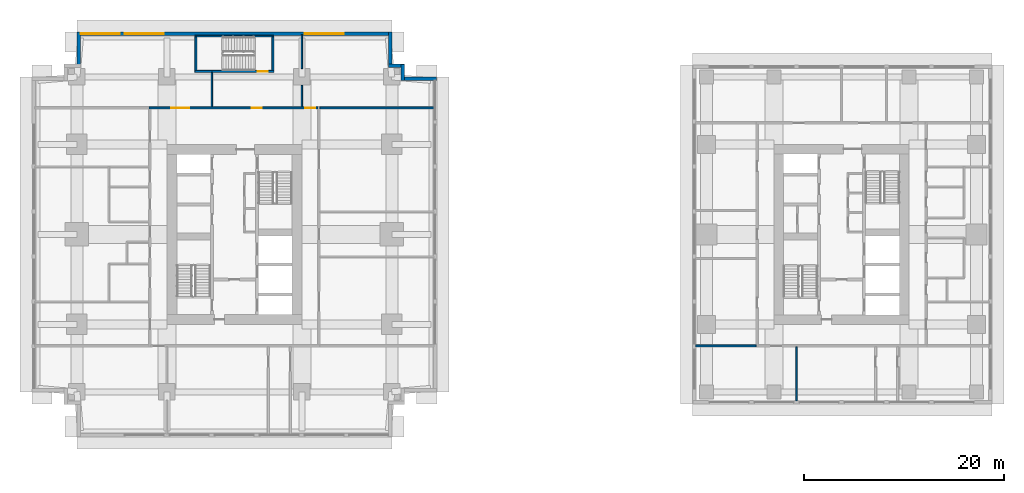
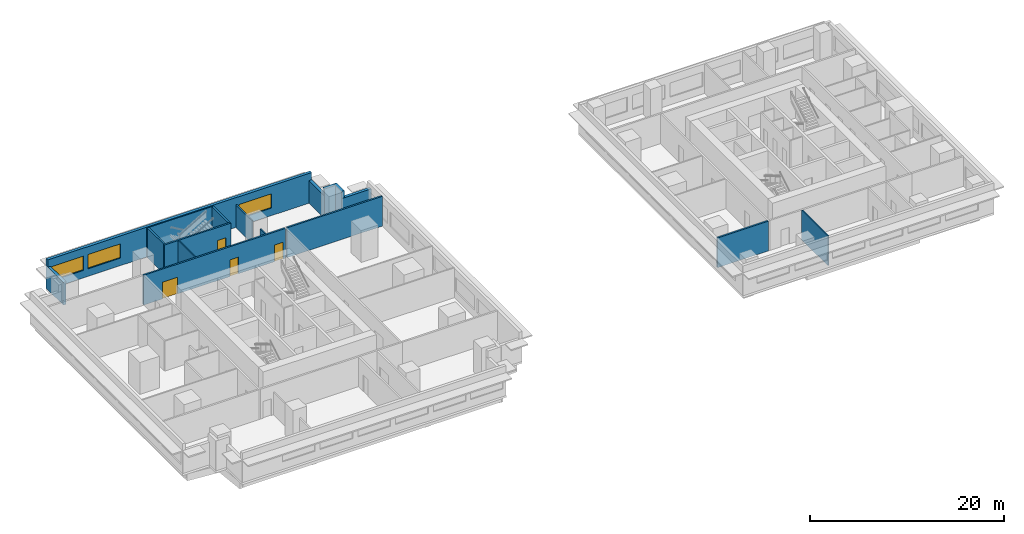
# One storey, part 5 of 11: 17 walls, 4 doors, 3 windows, 7 openings.
"""IFC4 building model written with IfcOpenShell, lengths in metres."""

from ifc_helpers import new_model, si_unit, direction, frame, frame_2d, origin, place, context, subcontext, project, spatial, rectangle, extrude, material, layer, layer_set, type_object, element, fill, save


model = new_model("IFC4")

# Units and contexts
model_context = context("Model", 3, precision=1e-05, world=origin(), true_north=direction((0.0, 1.0)))
body_context = subcontext(model_context, "Body", "Model", "MODEL_VIEW")
ifc_project = project(units=[si_unit("LENGTHUNIT", "METRE"), si_unit("AREAUNIT", "SQUARE_METRE"), si_unit("VOLUMEUNIT", "CUBIC_METRE"), si_unit("PLANEANGLEUNIT", "RADIAN"), si_unit("MASSUNIT", "GRAM", prefix="KILO")], contexts=[model_context])

# Site, building, storey
site_placement = place(None, origin())
site = spatial("IfcSite", under=ifc_project, at=site_placement, CompositionType="ELEMENT")
building_placement = place(site_placement, origin())
building = spatial("IfcBuilding", under=site, at=building_placement, Name="Namib Vertical Campus", CompositionType="ELEMENT")
storey_placement = place(building_placement, frame((0.0, 0.0, 201.0)))
storey = spatial("IfcBuildingStorey", under=building, at=storey_placement, Name="L47", CompositionType="ELEMENT", Elevation=201.0)

# Wall, openings, doors
ifc_material_1 = material(Name="Concrete masonry", Category="masonry")
ifc_layer_1 = layer(ifc_material_1, 0.199951171875)
ifc_layer_set_1 = layer_set([ifc_layer_1], Name="Corridor wall 200")
wall_type_1 = type_object("IfcWallType", Name="Corridor wall 200", PredefinedType="SOLIDWALL", material=ifc_layer_set_1)
wall_1_placement = place(storey_placement, frame((28.60009765625, 32.89990234375, 0.0), z_axis=(0.0, 0.0, 1.0), x_axis=(-1.0, 0.0, 0.0)))
wall_1 = element("IfcWall", 1, at=wall_1_placement, inside=storey, type_object=wall_type_1, Name="Corridor wall A L47 CN", PredefinedType="SOLIDWALL", context=body_context, shape_type="SweptSolid", body=[
    extrude(rectangle(XDim=16.900146484375, YDim=0.199951171875, at=frame_2d((8.4501953125, 0.0))), origin(), (0.0, 0.0, 1.0), 3.75),
])
opening_1_placement = place(wall_1_placement, frame((12.85009765625, 0.0, 0.0)))
opening_1 = element("IfcOpeningElement", 2, at=opening_1_placement, cuts=wall_1, Name="Opening CD2", PredefinedType="OPENING", context=body_context, shape_type="SweptSolid", body=[
    extrude(rectangle(XDim=1.800048828125, YDim=2.10009765625, at=frame_2d((0.89990234375, 1.050048828125))), frame((0.0, 0.10986328125, 0.0), z_axis=(0.0, -1.0, 0.0), x_axis=(1.0, 0.0, 0.0)), (0.0, 0.0, 1.0), 0.219970703125),
])
opening_2_placement = place(wall_1_placement, frame((5.60009765625, 0.0, 0.0)))
opening_2 = element("IfcOpeningElement", 3, at=opening_2_placement, cuts=wall_1, Name="Opening CD1", PredefinedType="OPENING", context=body_context, shape_type="SweptSolid", body=[
    extrude(rectangle(XDim=1.0, YDim=2.10009765625, at=frame_2d((0.5, 1.050048828125))), frame((0.0, 0.10986328125, 0.0), z_axis=(0.0, -1.0, 0.0), x_axis=(1.0, 0.0, 0.0)), (0.0, 0.0, 1.0), 0.219970703125),
])
opening_3_placement = place(wall_1_placement, frame((0.27490234375, 0.0, 0.0)))
opening_3 = element("IfcOpeningElement", 4, at=opening_3_placement, cuts=wall_1, Name="Opening CD1", PredefinedType="OPENING", context=body_context, shape_type="SweptSolid", body=[
    extrude(rectangle(XDim=1.0, YDim=2.10009765625, at=frame_2d((0.5, 1.050048828125))), frame((0.0, 0.10986328125, 0.0), z_axis=(0.0, -1.0, 0.0), x_axis=(1.0, 0.0, 0.0)), (0.0, 0.0, 1.0), 0.219970703125),
])
ifc_material_2 = material(Name="Timber fire door leaf", Category="wood")
door_type_1 = type_object("IfcDoorType", Name="Corridor door 1000x2100 20 min", OperationType="SINGLE_SWING_LEFT", PredefinedType="DOOR", material=ifc_material_2)
door_1_placement = place(opening_2_placement, frame((1.0, 0.0, 0.0), z_axis=(0.0, 0.0, 1.0), x_axis=(-1.0, 0.0, 0.0)))
door_1 = element("IfcDoor", 5, at=door_1_placement, inside=storey, type_object=door_type_1, Name="Door CD1 A47-08", OperationType="SINGLE_SWING_RIGHT", OverallHeight=2.10009765625, OverallWidth=1.0, PredefinedType="DOOR", context=body_context, shape_type="SweptSolid", body=[
    extrude(rectangle(XDim=1.0, YDim=2.10009765625, at=frame_2d((0.5, 1.050048828125))), frame((0.0, 0.02490234375, 0.0), z_axis=(0.0, -1.0, 0.0), x_axis=(1.0, 0.0, 0.0)), (0.0, 0.0, 1.0), 0.050048828125),
])
fill(opening_2, door_1)
door_2_placement = place(opening_3_placement, frame((1.0, 0.0, 0.0), z_axis=(0.0, 0.0, 1.0), x_axis=(-1.0, 0.0, 0.0)))
door_2 = element("IfcDoor", 6, at=door_2_placement, inside=storey, type_object=door_type_1, Name="Door CD1 A47-09", OperationType="SINGLE_SWING_LEFT", OverallHeight=2.10009765625, OverallWidth=1.0, PredefinedType="DOOR", context=body_context, shape_type="SweptSolid", body=[
    extrude(rectangle(XDim=1.0, YDim=2.10009765625, at=frame_2d((0.5, 1.050048828125))), frame((0.0, 0.02490234375, 0.0), z_axis=(0.0, -1.0, 0.0), x_axis=(1.0, 0.0, 0.0)), (0.0, 0.0, 1.0), 0.050048828125),
])
fill(opening_3, door_2)
ifc_material_3 = material(Name="Timber fire door leaf", Category="wood")
door_type_2 = type_object("IfcDoorType", Name="Corridor door double 1800x2100 20 min", OperationType="DOUBLE_DOOR_SINGLE_SWING", PredefinedType="DOOR", material=ifc_material_3)
door_3_placement = place(opening_1_placement, frame((1.800048828125, 0.0, 0.0), z_axis=(0.0, 0.0, 1.0), x_axis=(-1.0, 0.0, 0.0)))
door_3 = element("IfcDoor", 7, at=door_3_placement, inside=storey, type_object=door_type_2, Name="Door CD2 A47-07", OperationType="DOUBLE_DOOR_SINGLE_SWING", OverallHeight=2.10009765625, OverallWidth=1.800048828125, PredefinedType="DOOR", context=body_context, shape_type="SweptSolid", body=[
    extrude(rectangle(XDim=1.800048828125, YDim=2.10009765625, at=frame_2d((0.89990234375, 1.050048828125))), frame((0.0, 0.02490234375, 0.0), z_axis=(0.0, -1.0, 0.0), x_axis=(1.0, 0.0, 0.0)), (0.0, 0.0, 1.0), 0.050048828125),
])
fill(opening_1, door_3)

# Walls
wall_2_placement = place(storey_placement, frame((28.800048828125, 32.89990234375, 0.0), z_axis=(0.0, 0.0, 1.0), x_axis=(1.0, 0.0, 0.0)))
element("IfcWall", 8, at=wall_2_placement, inside=storey, type_object=wall_type_1, Name="Partition A L47 BNE", PredefinedType="SOLIDWALL", context=body_context, shape_type="SweptSolid", body=[
    extrude(rectangle(XDim=11.39990234375, YDim=0.199951171875, at=frame_2d((5.699951171875, 0.0))), origin(), (0.0, 0.0, 1.0), 3.75),
])
wall_3_placement = place(storey_placement, frame((66.39990234375, 9.10009765625, 0.0), z_axis=(0.0, 0.0, 1.0), x_axis=(1.0, 0.0, 0.0)))
element("IfcWall", 9, at=wall_3_placement, inside=storey, type_object=wall_type_1, Name="Partition B L47 BSW", PredefinedType="SOLIDWALL", context=body_context, shape_type="SweptSolid", body=[
    extrude(rectangle(XDim=6.050048828125, YDim=0.199951171875, at=frame_2d((3.02490234375, 0.0))), origin(), (0.0, 0.0, 1.0), 3.75),
])
ifc_material_4 = material(Name="Concrete C40/50", Category="concrete")
ifc_layer_2 = layer(ifc_material_4, 0.35009765625)
ifc_layer_set_2 = layer_set([ifc_layer_2], Name="Concrete C40/50")
wall_type_2 = type_object("IfcWallType", Name="External wall 350 bush-hammered concrete", PredefinedType="STANDARD", material=ifc_layer_set_2)
wall_4_placement = place(storey_placement, frame((40.47998046875, 35.824951171875, 0.0), z_axis=(0.0, 0.0, 1.0), x_axis=(-1.0, 0.0, 0.0)))
element("IfcWall", 10, at=wall_4_placement, inside=storey, type_object=wall_type_2, Name="External wall L47 F07", PredefinedType="STANDARD", context=body_context, shape_type="SweptSolid", body=[
    extrude(rectangle(XDim=3.534912109375, YDim=0.35009765625, at=frame_2d((1.767578125, 0.0))), origin(), (0.0, 0.0, 1.0), 2.85009765625),
])
for number, where, z_axis, x_axis, name in (
    (11, (37.10009765625, 35.669921875, 0.0), (0.0, 0.0, 1.0), (0.0, 1.0, 0.0), "External wall L47 F08"),
    (12, (37.2548828125, 37.10009765625, 0.0), (0.0, 0.0, 1.0), (-1.0, 0.0, 0.0), "External wall L47 F09"),
):
    element("IfcWall", number, at=place(storey_placement, frame(where, z_axis=z_axis, x_axis=x_axis)), inside=storey, type_object=wall_type_2, Name=name, PredefinedType="STANDARD", context=body_context, shape_type="SweptSolid", body=[
        extrude(rectangle(XDim=1.5849609375, YDim=0.35009765625, at=frame_2d((0.79248046875, 0.0))), origin(), (0.0, 0.0, 1.0), 3.75),
    ])
wall_5_placement = place(storey_placement, frame((35.824951171875, 36.945068359375, 0.0), z_axis=(0.0, 0.0, 1.0), x_axis=(0.0, 1.0, 0.0)))
element("IfcWall", 13, at=wall_5_placement, inside=storey, type_object=wall_type_2, Name="External wall L47 F10", PredefinedType="STANDARD", context=body_context, shape_type="SweptSolid", body=[
    extrude(rectangle(XDim=3.534912109375, YDim=0.35009765625, at=frame_2d((1.767578125, 0.0))), origin(), (0.0, 0.0, 1.0), 2.85009765625),
])

# Wall, openings, windows
wall_6_placement = place(storey_placement, frame((35.97998046875, 40.324951171875, 0.0), z_axis=(0.0, 0.0, 1.0), x_axis=(-1.0, 0.0, 0.0)))
wall_6 = element("IfcWall", 14, at=wall_6_placement, inside=storey, type_object=wall_type_2, Name="External wall L47 F11", PredefinedType="STANDARD", context=body_context, shape_type="SweptSolid", body=[
    extrude(rectangle(XDim=31.4599609375, YDim=0.35009765625, at=frame_2d((15.72998046875, 0.0))), origin(), (0.0, 0.0, 1.0), 3.75),
])
opening_4_placement = place(wall_6_placement, frame((27.2099609375, 0.0, 0.949951171875)))
opening_4 = element("IfcOpeningElement", 15, at=opening_4_placement, cuts=wall_6, Name="Opening W3", PredefinedType="OPENING", context=body_context, shape_type="SweptSolid", body=[
    extrude(rectangle(XDim=3.89990234375, YDim=1.800048828125, at=frame_2d((1.949951171875, 0.89990234375))), frame((0.0, 0.18505859375, 0.0), z_axis=(0.0, -1.0, 0.0), x_axis=(1.0, 0.0, 0.0)), (0.0, 0.0, 1.0), 0.3701171875),
])
opening_5_placement = place(wall_6_placement, frame((22.780029296875, 0.0, 0.949951171875)))
opening_5 = element("IfcOpeningElement", 16, at=opening_5_placement, cuts=wall_6, Name="Opening W3", PredefinedType="OPENING", context=body_context, shape_type="SweptSolid", body=[
    extrude(rectangle(XDim=3.89990234375, YDim=1.800048828125, at=frame_2d((1.949951171875, 0.89990234375))), frame((0.0, 0.18505859375, 0.0), z_axis=(0.0, -1.0, 0.0), x_axis=(1.0, 0.0, 0.0)), (0.0, 0.0, 1.0), 0.3701171875),
])
opening_6_placement = place(wall_6_placement, frame((4.780029296875, 0.0, 0.949951171875)))
opening_6 = element("IfcOpeningElement", 17, at=opening_6_placement, cuts=wall_6, Name="Opening W3", PredefinedType="OPENING", context=body_context, shape_type="SweptSolid", body=[
    extrude(rectangle(XDim=3.89990234375, YDim=1.800048828125, at=frame_2d((1.949951171875, 0.89990234375))), frame((0.0, 0.18505859375, 0.0), z_axis=(0.0, -1.0, 0.0), x_axis=(1.0, 0.0, 0.0)), (0.0, 0.0, 1.0), 0.3701171875),
])
ifc_material_5 = material(Name="Dark tinted glass in black aluminium frame", Category="aluminium")
window_type = type_object("IfcWindowType", Name="Ribbon window 3900x1800", PartitioningType="SINGLE_PANEL", PredefinedType="WINDOW", material=ifc_material_5)
window_1_placement = place(opening_4_placement, origin())
window_1 = element("IfcWindow", 18, at=window_1_placement, inside=storey, type_object=window_type, Name="Window W3 L47 F11-1", OverallHeight=1.800048828125, OverallWidth=3.89990234375, PartitioningType="SINGLE_PANEL", PredefinedType="WINDOW", context=body_context, shape_type="SweptSolid", body=[
    extrude(rectangle(XDim=3.89990234375, YDim=1.800048828125, at=frame_2d((1.949951171875, 0.89990234375))), frame((0.0, 0.030029296875, 0.0), z_axis=(0.0, -1.0, 0.0), x_axis=(1.0, 0.0, 0.0)), (0.0, 0.0, 1.0), 0.06005859375),
])
fill(opening_4, window_1)
window_2_placement = place(opening_5_placement, origin())
window_2 = element("IfcWindow", 19, at=window_2_placement, inside=storey, type_object=window_type, Name="Window W3 L47 F11-2", OverallHeight=1.800048828125, OverallWidth=3.89990234375, PartitioningType="SINGLE_PANEL", PredefinedType="WINDOW", context=body_context, shape_type="SweptSolid", body=[
    extrude(rectangle(XDim=3.89990234375, YDim=1.800048828125, at=frame_2d((1.949951171875, 0.89990234375))), frame((0.0, 0.030029296875, 0.0), z_axis=(0.0, -1.0, 0.0), x_axis=(1.0, 0.0, 0.0)), (0.0, 0.0, 1.0), 0.06005859375),
])
fill(opening_5, window_2)
window_3_placement = place(opening_6_placement, origin())
window_3 = element("IfcWindow", 20, at=window_3_placement, inside=storey, type_object=window_type, Name="Window W3 L47 F11-6", OverallHeight=1.800048828125, OverallWidth=3.89990234375, PartitioningType="SINGLE_PANEL", PredefinedType="WINDOW", context=body_context, shape_type="SweptSolid", body=[
    extrude(rectangle(XDim=3.89990234375, YDim=1.800048828125, at=frame_2d((1.949951171875, 0.89990234375))), frame((0.0, 0.030029296875, 0.0), z_axis=(0.0, -1.0, 0.0), x_axis=(1.0, 0.0, 0.0)), (0.0, 0.0, 1.0), 0.06005859375),
])
fill(opening_6, window_3)

# Walls
wall_7_placement = place(storey_placement, frame((4.675048828125, 40.47998046875, 0.0), z_axis=(0.0, 0.0, 1.0), x_axis=(0.0, -1.0, 0.0)))
element("IfcWall", 21, at=wall_7_placement, inside=storey, type_object=wall_type_2, Name="External wall L47 F12", PredefinedType="STANDARD", context=body_context, shape_type="SweptSolid", body=[
    extrude(rectangle(XDim=3.534912109375, YDim=0.35009765625, at=frame_2d((1.767578125, 0.0))), origin(), (0.0, 0.0, 1.0), 2.85009765625),
])
ifc_material_6 = material(Name="Gypsum board on steel studs", Category="steel")
ifc_layer_3 = layer(ifc_material_6, 0.14990234375)
ifc_layer_set_3 = layer_set([ifc_layer_3], Name="Gypsum board on steel studs")
wall_type_3 = type_object("IfcWallType", Name="Partition 150", PredefinedType="PARTITIONING", material=ifc_layer_set_3)
wall_8_placement = place(storey_placement, frame((18.0, 33.0, 0.0), z_axis=(0.0, 0.0, 1.0), x_axis=(0.0, 1.0, 0.0)))
element("IfcWall", 22, at=wall_8_placement, inside=storey, type_object=wall_type_3, Name="Partition A L47 PN1", PredefinedType="PARTITIONING", context=body_context, shape_type="SweptSolid", body=[
    extrude(rectangle(XDim=3.449951171875, YDim=0.14990234375, at=frame_2d((1.72509765625, 0.0))), origin(), (0.0, 0.0, 1.0), 3.75),
])
wall_9_placement = place(storey_placement, frame((27.0, 33.0, 0.0), z_axis=(0.0, 0.0, 1.0), x_axis=(0.0, 1.0, 0.0)))
element("IfcWall", 23, at=wall_9_placement, inside=storey, type_object=wall_type_3, Name="Partition A L47 PN2", PredefinedType="PARTITIONING", context=body_context, shape_type="SweptSolid", body=[
    extrude(rectangle(XDim=2.155029296875, YDim=0.14990234375, at=frame_2d((1.07763671875, 0.0))), origin(), (0.0, 0.0, 1.0), 2.85009765625),
])
wall_10_placement = place(storey_placement, frame((27.0, 36.844970703125, 0.0), z_axis=(0.0, 0.0, 1.0), x_axis=(0.0, 1.0, 0.0)))
element("IfcWall", 24, at=wall_10_placement, inside=storey, type_object=wall_type_3, Name="Partition A L47 PN2", PredefinedType="PARTITIONING", context=body_context, shape_type="SweptSolid", body=[
    extrude(rectangle(XDim=3.35498046875, YDim=0.14990234375, at=frame_2d((1.677490234375, 0.0))), origin(), (0.0, 0.0, 1.0), 2.85009765625),
])
wall_11_placement = place(storey_placement, frame((76.5, 3.60009765625, 0.0), z_axis=(0.0, 0.0, 1.0), x_axis=(0.0, 1.0, 0.0)))
element("IfcWall", 25, at=wall_11_placement, inside=storey, type_object=wall_type_3, Name="Partition B L47 PS1", PredefinedType="PARTITIONING", context=body_context, shape_type="SweptSolid", body=[
    extrude(rectangle(XDim=5.39990234375, YDim=0.14990234375, at=frame_2d((2.699951171875, 0.0))), origin(), (0.0, 0.0, 1.0), 3.75),
])
ifc_material_7 = material(Name="Concrete C40/50", Category="concrete")
ifc_layer_4 = layer(ifc_material_7, 0.14990234375)
ifc_layer_set_4 = layer_set([ifc_layer_4], Name="Concrete C40/50")
wall_type_4 = type_object("IfcWallType", Name="Stair enclosure wall RC 150", PredefinedType="SOLIDWALL", material=ifc_layer_set_4)
wall_12_placement = place(storey_placement, frame((16.300048828125, 40.074951171875, 0.0), z_axis=(0.0, 0.0, 1.0), x_axis=(1.0, 0.0, 0.0)))
element("IfcWall", 26, at=wall_12_placement, inside=storey, type_object=wall_type_4, Name="Stair enclosure wall A-S3 L47 N", PredefinedType="SOLIDWALL", context=body_context, shape_type="SweptSolid", body=[
    extrude(rectangle(XDim=7.89990234375, YDim=0.14990234375, at=frame_2d((3.949951171875, 0.0))), origin(), (0.0, 0.0, 1.0), 3.75),
])

# Wall, opening, door
ifc_material_8 = material(Name="Concrete C40/50", Category="concrete")
ifc_layer_5 = layer(ifc_material_8, 0.199951171875)
ifc_layer_set_5 = layer_set([ifc_layer_5], Name="Concrete C40/50")
wall_type_5 = type_object("IfcWallType", Name="Stair enclosure wall RC 200", PredefinedType="SOLIDWALL", material=ifc_layer_set_5)
wall_13_placement = place(storey_placement, frame((16.300048828125, 36.550048828125, 0.0), z_axis=(0.0, 0.0, 1.0), x_axis=(1.0, 0.0, 0.0)))
wall_13 = element("IfcWall", 27, at=wall_13_placement, inside=storey, type_object=wall_type_5, Name="Stair enclosure wall A-S3 L47 S", PredefinedType="SOLIDWALL", context=body_context, shape_type="SweptSolid", body=[
    extrude(rectangle(XDim=7.89990234375, YDim=0.199951171875, at=frame_2d((3.949951171875, 0.0))), origin(), (0.0, 0.0, 1.0), 3.75),
])
opening_7_placement = place(wall_13_placement, frame((6.300048828125, 0.0, 0.0)))
opening_7 = element("IfcOpeningElement", 28, at=opening_7_placement, cuts=wall_13, Name="Opening FD1", PredefinedType="OPENING", context=body_context, shape_type="SweptSolid", body=[
    extrude(rectangle(XDim=1.0, YDim=2.10009765625, at=frame_2d((0.5, 1.050048828125))), frame((0.0, 0.10986328125, 0.0), z_axis=(0.0, -1.0, 0.0), x_axis=(1.0, 0.0, 0.0)), (0.0, 0.0, 1.0), 0.219970703125),
])
ifc_material_9 = material(Name="Steel fire door", Category="steel")
door_type_3 = type_object("IfcDoorType", Name="Fire door 1000x2100", OperationType="SINGLE_SWING_RIGHT", PredefinedType="DOOR", material=ifc_material_9)
door_4_placement = place(opening_7_placement, origin())
door_4 = element("IfcDoor", 29, at=door_4_placement, inside=storey, type_object=door_type_3, Name="Stair door FD1 A L47 S3", OperationType="SINGLE_SWING_RIGHT", OverallHeight=2.10009765625, OverallWidth=1.0, PredefinedType="DOOR", context=body_context, shape_type="SweptSolid", body=[
    extrude(rectangle(XDim=1.0, YDim=2.10009765625, at=frame_2d((0.5, 1.050048828125))), frame((0.0, 0.02490234375, 0.0), z_axis=(0.0, -1.0, 0.0), x_axis=(1.0, 0.0, 0.0)), (0.0, 0.0, 1.0), 0.050048828125),
])
fill(opening_7, door_4)

# Walls
for number, where, z_axis, x_axis, name in (
    (30, (16.39990234375, 36.64990234375, 0.0), (0.0, 0.0, 1.0), (0.0, 1.0, 0.0), "Stair enclosure wall A-S3 L47 W"),
    (31, (24.10009765625, 36.64990234375, 0.0), (0.0, 0.0, 1.0), (0.0, 1.0, 0.0), "Stair enclosure wall A-S3 L47 E"),
):
    element("IfcWall", number, at=place(storey_placement, frame(where, z_axis=z_axis, x_axis=x_axis)), inside=storey, type_object=wall_type_5, Name=name, PredefinedType="SOLIDWALL", context=body_context, shape_type="SweptSolid", body=[
        extrude(rectangle(XDim=3.35009765625, YDim=0.199951171875, at=frame_2d((1.675048828125, 0.0))), origin(), (0.0, 0.0, 1.0), 3.75),
    ])

save(model, "model.ifc")
